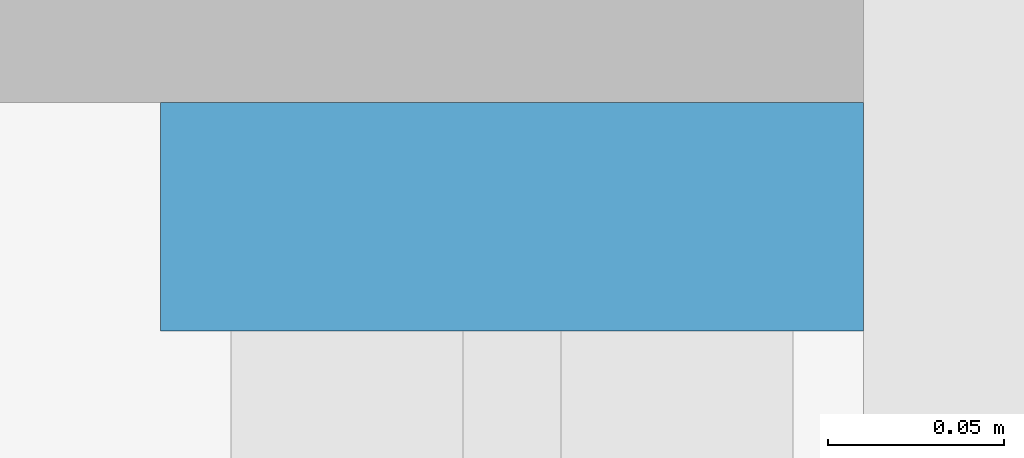
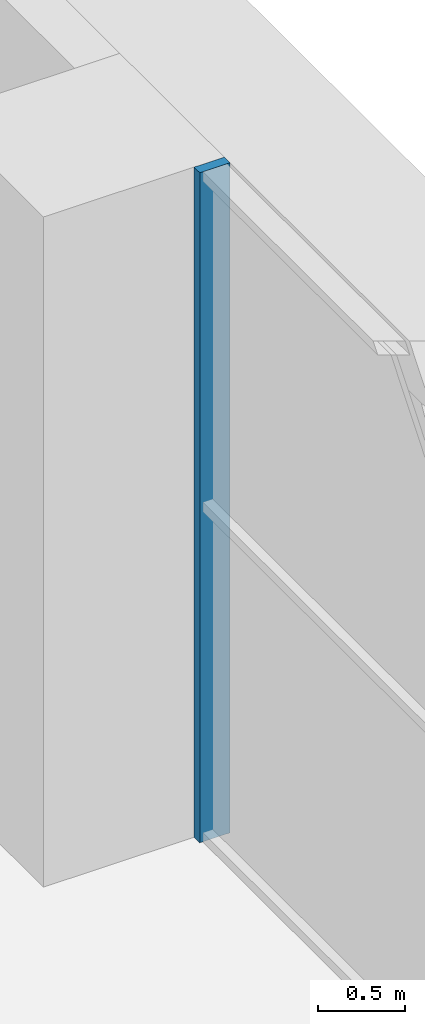
# One storey, part 6 of 14: 1 member, 1 element without a shape of its own.
"""IFC4 building model written with IfcOpenShell, lengths in metres."""

from ifc_helpers import new_model, si_unit, direction, frame, origin, origin_2d, place, context, subcontext, project, spatial, rectangle, extrude, material, material_profile, profile_set, type_object, element, aggregate, save


model = new_model("IFC4")

# Units and contexts
model_context = context("Model", 3, precision=1e-05, world=origin(), true_north=direction((0.0, 1.0)))
body_context = subcontext(model_context, "Body", "Model", "MODEL_VIEW")
ifc_project = project(units=[si_unit("LENGTHUNIT", "METRE"), si_unit("AREAUNIT", "SQUARE_METRE"), si_unit("VOLUMEUNIT", "CUBIC_METRE"), si_unit("PLANEANGLEUNIT", "RADIAN"), si_unit("MASSUNIT", "GRAM", prefix="KILO")], contexts=[model_context])

# Site, building, storey
site_placement = place(None, origin())
site = spatial("IfcSite", under=ifc_project, at=site_placement, CompositionType="ELEMENT")
building_placement = place(site_placement, origin())
building = spatial("IfcBuilding", under=site, at=building_placement, Name="Orbiselva Terraces", CompositionType="ELEMENT")
storey_placement = place(building_placement, frame((0.0, 0.0, 120.0)))
storey = spatial("IfcBuildingStorey", under=building, at=storey_placement, Name="L30", CompositionType="ELEMENT", Elevation=120.0)

# Curtain wall, member
ifc_material_1 = material(Name="Clear low-e glazing in aluminium frame", Category="aluminium")
curtain_wall_type = type_object("IfcCurtainWallType", Name="ENV-CW-SKY", PredefinedType="NOTDEFINED", material=ifc_material_1)
curtain_wall_placement = place(storey_placement, origin())
curtain_wall = element("IfcCurtainWall", 1, at=curtain_wall_placement, inside=storey, type_object=curtain_wall_type, Name="Curtain wall L30 E", PredefinedType="NOTDEFINED")
ifc_material_2 = material(Name="Anodised aluminium", Category="aluminium")
ifc_material_profile = material_profile(ifc_material_2, rectangle(XDim=0.2, YDim=0.065, at=origin_2d()), Name="AL 65x200")
ifc_profile_set = profile_set([ifc_material_profile], Name="Anodised aluminium")
member_type = type_object("IfcMemberType", Name="ENV-CW-SKY-MULLION-65x200", PredefinedType="MULLION", material=ifc_profile_set)
member_placement = place(storey_placement, frame((22.4, 12.8675, 0.0), z_axis=(0.0, 0.0, 1.0), x_axis=(-1.0, 0.0, 0.0)))
member = element("IfcMember", 2, at=member_placement, type_object=member_type, Name="CW3 mullion 3", PredefinedType="MULLION", context=body_context, shape_type="SweptSolid", body=[
    extrude(rectangle(XDim=0.2, YDim=0.065, at=origin_2d()), origin(), (0.0, 0.0, 1.0), 4.7),
])
aggregate(curtain_wall, [member])

save(model, "model.ifc")
